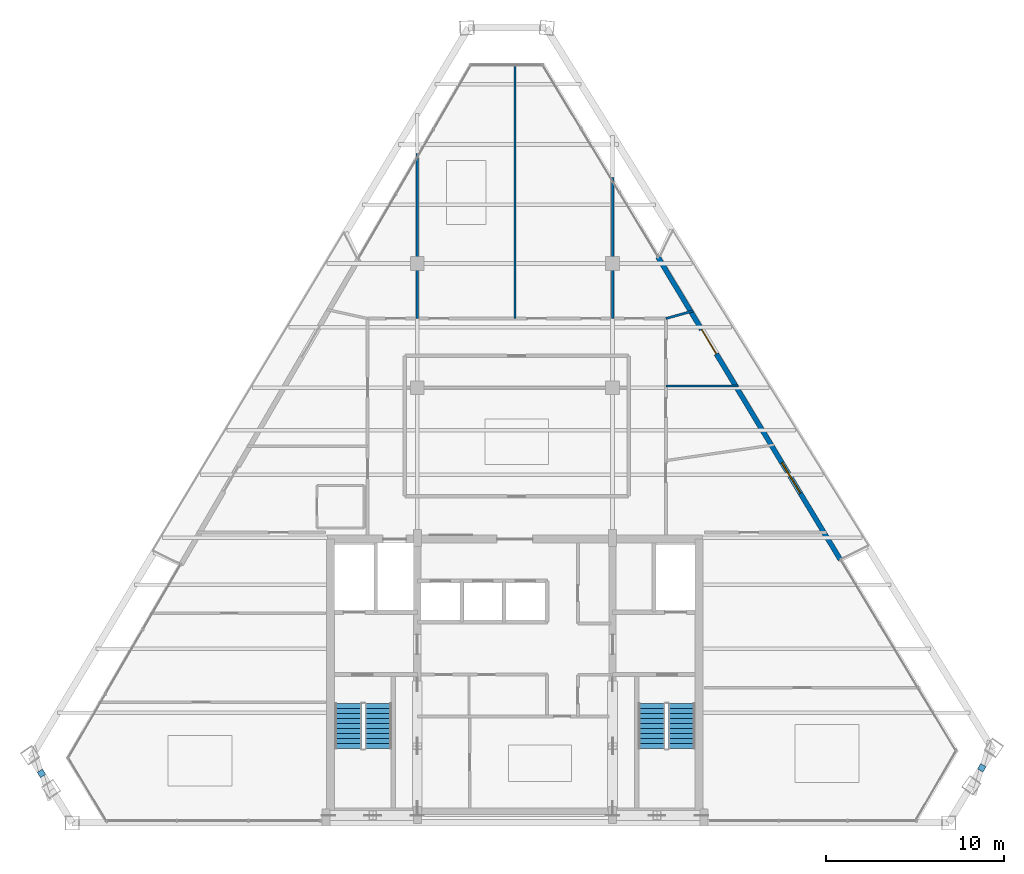
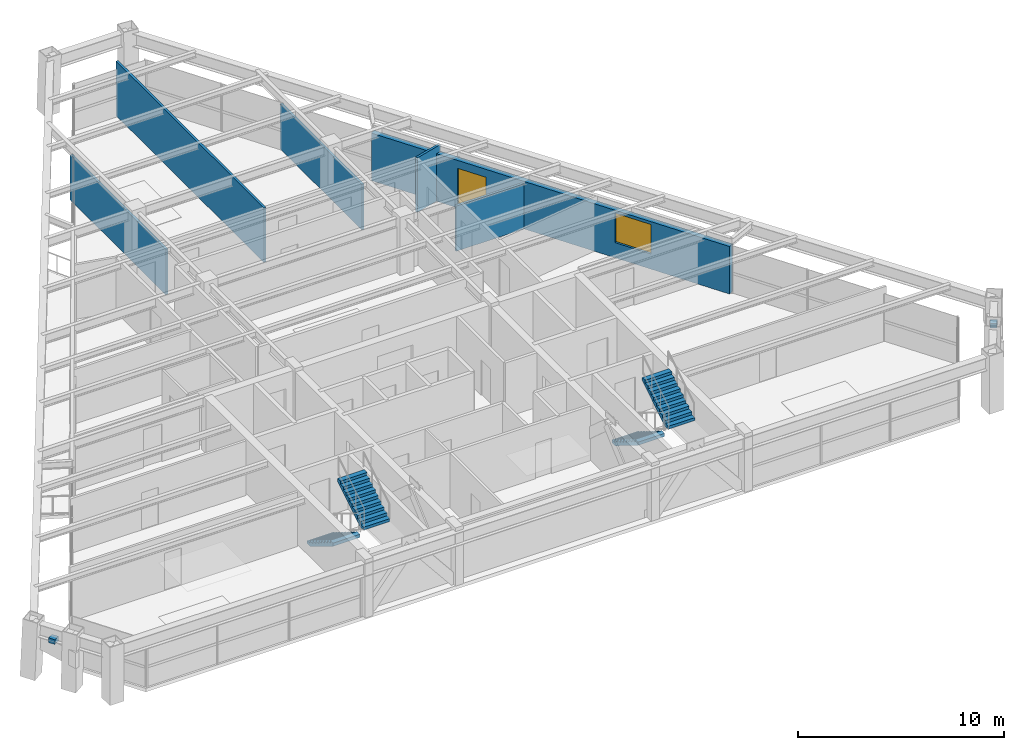
# One storey, part 11 of 13: 6 walls, 4 stair flights, 2 discrete accessories, 1 door, 1 window, 2 openings, 2 elements without a shape of their own.
"""IFC4 building model written with IfcOpenShell, lengths in metres."""

from ifc_helpers import new_model, si_unit, direction, frame, frame_2d, origin, origin_2d, place, context, subcontext, project, spatial, polyline, rectangle, outline, extrude, source, transform, mapped, material, layer, layer_set, type_object, type_shapes, element, fill, aggregate, save


model = new_model("IFC4")

# Units and contexts
model_context = context("Model", 3, precision=1e-05, world=origin(), true_north=direction((0.0, 1.0)))
body_context = subcontext(model_context, "Body", "Model", "MODEL_VIEW")
ifc_project = project(units=[si_unit("LENGTHUNIT", "METRE"), si_unit("AREAUNIT", "SQUARE_METRE"), si_unit("VOLUMEUNIT", "CUBIC_METRE"), si_unit("PLANEANGLEUNIT", "RADIAN"), si_unit("MASSUNIT", "GRAM", prefix="KILO")], contexts=[model_context])

# Site, building, storey
site_placement = place(None, origin())
site = spatial("IfcSite", under=ifc_project, at=site_placement, CompositionType="ELEMENT")
building_placement = place(site_placement, origin())
building = spatial("IfcBuilding", under=site, at=building_placement, Name="Varnakhor Terracotta Tower", CompositionType="ELEMENT")
storey_placement = place(building_placement, frame((0.0, 0.0, 262.64990234375)))
storey = spatial("IfcBuildingStorey", under=building, at=storey_placement, Name="L68", CompositionType="ELEMENT", Elevation=262.64990234375)

# Wall, openings, door, window
ifc_material_1 = material(Name="Extruded Architectural Terracotta Assembly", Category="masonry")
ifc_layer_1 = layer(ifc_material_1, 0.280029296875, Name="Extruded Architectural Terracotta Assembly")
ifc_layer_set_1 = layer_set([ifc_layer_1], Name="Extruded Architectural Terracotta Assembly")
wall_type_1 = type_object("IfcWallType", Name="WAL-EXT-TERRACOTTA-280", PredefinedType="SOLIDWALL", material=ifc_layer_set_1)
wall_1_placement = place(storey_placement, frame((8.050537109375, 31.865234375, 0.0), z_axis=(0.0, 0.0, 1.0), x_axis=(0.516203649231, -0.856465873529, 0.0)))
wall_1 = element("IfcWall", 1, at=wall_1_placement, inside=storey, type_object=wall_type_1, Name="L68 E Loggia Insulated Terracotta Wall", PredefinedType="SOLIDWALL", context=body_context, shape_type="SweptSolid", body=[
    extrude(rectangle(XDim=19.895751953125, YDim=0.280029296875, at=frame_2d((9.94775390625, 0.0))), origin(), (0.0, 0.0, 1.0), 2.820068359375),
])
opening_1_placement = place(wall_1_placement, frame((4.77490234375, 0.0, 0.0)))
opening_1 = element("IfcOpeningElement", 2, at=opening_1_placement, cuts=wall_1, Name="Opening DR-62", PredefinedType="OPENING", context=body_context, shape_type="SweptSolid", body=[
    extrude(rectangle(XDim=1.60009765625, YDim=2.35009765625, at=frame_2d((0.800048828125, 1.175048828125))), frame((0.0, 0.14990234375, 0.0), z_axis=(0.0, -1.0, 0.0), x_axis=(1.0, 0.0, 0.0)), (0.0, 0.0, 1.0), 0.300048828125),
])
opening_2_placement = place(wall_1_placement, frame((13.529052734375, 0.0, 0.89990234375)))
opening_2 = element("IfcOpeningElement", 3, at=opening_2_placement, cuts=wall_1, Name="Opening WN-63", PredefinedType="OPENING", context=body_context, shape_type="SweptSolid", body=[
    extrude(rectangle(XDim=2.0, YDim=1.75, at=frame_2d((1.0, 0.875))), frame((0.0, 0.14990234375, 0.0), z_axis=(0.0, -1.0, 0.0), x_axis=(1.0, 0.0, 0.0)), (0.0, 0.0, 1.0), 0.300048828125),
])
ifc_material_2 = material(Name="Thermally Broken Sliding Glass Loggia Door", Category="glass")
door_type = type_object("IfcDoorType", Name="DR-EXT-LOGGIA-1600X2350", OperationType="NOTDEFINED", PredefinedType="DOOR", material=ifc_material_2)
shared_shape_1 = source(origin(), body_context, "Body", "SweptSolid", [
    extrude(rectangle(XDim=1.60009765625, YDim=2.35009765625, at=frame_2d((0.800048828125, 1.175048828125))), frame((0.0, 0.02490234375, 0.0), z_axis=(0.0, -1.0, 0.0), x_axis=(1.0, 0.0, 0.0)), (0.0, 0.0, 1.0), 0.050048828125),
])
type_shapes(door_type, [shared_shape_1])
door_placement = place(opening_1_placement, origin())
door = element("IfcDoor", 4, at=door_placement, inside=storey, type_object=door_type, Name="L68 E Recessed Loggia Sliding Door", OperationType="SLIDING_TO_RIGHT", OverallHeight=2.35009765625, OverallWidth=1.60009765625, PredefinedType="DOOR", context=body_context, shape_type="MappedRepresentation", body=[
    mapped(shared_shape_1, transform((0.0, 0.0, 0.0), scale=1.0)),
])
fill(opening_1, door)
ifc_material_3 = material(Name="Solar-Control Low-E Insulated Glass Unit", Category="glass")
window_type = type_object("IfcWindowType", Name="WIN-HTL-2000X1950", PartitioningType="SINGLE_PANEL", PredefinedType="WINDOW", material=ifc_material_3)
shared_shape_2 = source(origin(), body_context, "Body", "SweptSolid", [
    extrude(rectangle(XDim=2.0, YDim=1.75, at=frame_2d((1.0, 0.875))), frame((0.0, 0.030029296875, 0.0), z_axis=(0.0, -1.0, 0.0), x_axis=(1.0, 0.0, 0.0)), (0.0, 0.0, 1.0), 0.06005859375),
])
type_shapes(window_type, [shared_shape_2])
window_placement = place(opening_2_placement, origin())
window = element("IfcWindow", 5, at=window_placement, inside=storey, type_object=window_type, Name="L68 E Facet Punched Window", OverallHeight=1.75, OverallWidth=2.0, PartitioningType="SINGLE_PANEL", PredefinedType="WINDOW", context=body_context, shape_type="MappedRepresentation", body=[
    mapped(shared_shape_2, transform((0.0, 0.0, 0.0), scale=1.0)),
])
fill(opening_2, window)

# Walls
ifc_material_4 = material(Name="Acoustic Hotel Room Partition", Category="gypsum")
ifc_layer_2 = layer(ifc_material_4, 0.1298828125, Name="Acoustic Hotel Room Partition")
ifc_layer_set_2 = layer_set([ifc_layer_2], Name="Acoustic Hotel Room Partition")
wall_type_2 = type_object("IfcWallType", Name="WAL-PART-130", PredefinedType="PARTITIONING", material=ifc_layer_set_2)
wall_2_placement = place(storey_placement, frame((8.5, 28.39990234375, 0.0), z_axis=(0.0, 0.0, 1.0), x_axis=(0.963218462171, 0.268719545497, 0.0)))
element("IfcWall", 6, at=wall_2_placement, inside=storey, type_object=wall_type_2, Name="L68 North East Suite South Wall", PredefinedType="PARTITIONING", context=body_context, shape_type="SweptSolid", body=[
    extrude(rectangle(XDim=1.591796875, YDim=0.1298828125, at=frame_2d((0.7958984375, 0.0))), origin(), (0.0, 0.0, 1.0), 3.232177734375),
])
wall_3_placement = place(storey_placement, frame((-5.5, 28.39990234375, 0.0), z_axis=(0.0, 0.0, 1.0), x_axis=(0.0, 1.0, 0.0)))
element("IfcWall", 7, at=wall_3_placement, inside=storey, type_object=wall_type_2, Name="L68 North West Column Wall", PredefinedType="PARTITIONING", context=body_context, shape_type="SweptSolid", body=[
    extrude(rectangle(XDim=9.294189453125, YDim=0.1298828125, at=frame_2d((4.64697265625, 0.0))), origin(), (0.0, 0.0, 1.0), 2.68310546875),
])
wall_4_placement = place(storey_placement, frame((5.5, 28.39990234375, 0.0), z_axis=(0.0, 0.0, 1.0), x_axis=(0.0, 1.0, 0.0)))
element("IfcWall", 8, at=wall_4_placement, inside=storey, type_object=wall_type_2, Name="L68 North East Column Wall", PredefinedType="PARTITIONING", context=body_context, shape_type="SweptSolid", body=[
    extrude(rectangle(XDim=7.94921875, YDim=0.1298828125, at=frame_2d((3.974609375, 0.0))), origin(), (0.0, 0.0, 1.0), 2.68310546875),
])
wall_5_placement = place(storey_placement, frame((0.0, 28.39990234375, 0.0), z_axis=(0.0, 0.0, 1.0), x_axis=(0.0, 1.0, 0.0)))
element("IfcWall", 9, at=wall_5_placement, inside=storey, type_object=wall_type_2, Name="L68 North Suite Split 2", PredefinedType="PARTITIONING", context=body_context, shape_type="SweptSolid", body=[
    extrude(rectangle(XDim=14.371337890625, YDim=0.1298828125, at=frame_2d((7.185546875, 0.0))), origin(), (0.0, 0.0, 1.0), 3.232177734375),
])
wall_6_placement = place(storey_placement, frame((8.5, 24.60009765625, 0.0), z_axis=(0.0, 0.0, 1.0), x_axis=(1.0, 0.0, 0.0)))
element("IfcWall", 10, at=wall_6_placement, inside=storey, type_object=wall_type_2, Name="L68 East Key Cut 2", PredefinedType="PARTITIONING", context=body_context, shape_type="SweptSolid", body=[
    extrude(rectangle(XDim=4.081298828125, YDim=0.1298828125, at=frame_2d((2.04052734375, 0.0))), origin(), (0.0, 0.0, 1.0), 2.68310546875),
])

# Stair, stair flights
ifc_material_5 = material(Name="Concrete C40/50", Category="concrete")
stair_type = type_object("IfcStairType", Name="STR-CORE-HOTEL-1500", PredefinedType="HALF_TURN_STAIR", material=ifc_material_5)
stair_1_placement = place(storey_placement, origin())
stair_1 = element("IfcStair", 11, at=stair_1_placement, inside=storey, type_object=stair_type, Name="L68 Core Exit Stair ST-1", PredefinedType="HALF_TURN_STAIR")
stair_flight_type = type_object("IfcStairFlightType", Name="FLT-HOTEL-1500", PredefinedType="STRAIGHT", material=ifc_material_5)
stair_flight_1_placement = place(storey_placement, frame((-9.39990234375, 6.7099609375, 0.0), z_axis=(0.0, 0.0, 1.0), x_axis=(0.0, -1.0, 0.0)))
stair_flight_1 = element("IfcStairFlight", 12, at=stair_flight_1_placement, type_object=stair_flight_type, Name="ST-1 flight 1", NumberOfRisers=10, NumberOfTreads=9, PredefinedType="STRAIGHT", RiserHeight=0.1725, TreadLength=0.28, context=body_context, shape_type="SweptSolid", body=[
    extrude(outline(polyline([(0.0, 0.0), (0.0, 0.172607421875), (0.280029296875, 0.172607421875), (0.280029296875, 0.344970703125), (0.56005859375, 0.344970703125), (0.56005859375, 0.517578125), (0.840087890625, 0.517578125), (0.840087890625, 0.68994140625), (1.1201171875, 0.68994140625), (1.1201171875, 0.862548828125), (1.39990234375, 0.862548828125), (1.39990234375, 1.034912109375), (1.679931640625, 1.034912109375), (1.679931640625, 1.20751953125), (1.9599609375, 1.20751953125), (1.9599609375, 1.3798828125), (2.239990234375, 1.3798828125), (2.239990234375, 1.552490234375), (2.52001953125, 1.552490234375), (2.52001953125, 1.72509765625), (2.52001953125, 1.36474609375), (0.304931640625, 0.0), (0.0, 0.0)])), frame((0.0, 0.75, 0.0), z_axis=(0.0, -1.0, 0.0), x_axis=(1.0, 0.0, 0.0)), (0.0, 0.0, 1.0), 1.5),
])
stair_flight_2_placement = place(storey_placement, frame((-7.699951171875, 4.18994140625, 1.72509765625), z_axis=(0.0, 0.0, 1.0), x_axis=(0.0, 1.0, 0.0)))
stair_flight_2 = element("IfcStairFlight", 13, at=stair_flight_2_placement, type_object=stair_flight_type, Name="ST-1 flight 2", NumberOfRisers=10, NumberOfTreads=9, PredefinedType="STRAIGHT", RiserHeight=0.1725, TreadLength=0.28, context=body_context, shape_type="SweptSolid", body=[
    extrude(outline(polyline([(0.0, 0.0), (0.0, 0.172607421875), (0.280029296875, 0.172607421875), (0.280029296875, 0.344970703125), (0.56005859375, 0.344970703125), (0.56005859375, 0.517578125), (0.840087890625, 0.517578125), (0.840087890625, 0.68994140625), (1.1201171875, 0.68994140625), (1.1201171875, 0.862548828125), (1.39990234375, 0.862548828125), (1.39990234375, 1.034912109375), (1.679931640625, 1.034912109375), (1.679931640625, 1.20751953125), (1.9599609375, 1.20751953125), (1.9599609375, 1.3798828125), (2.239990234375, 1.3798828125), (2.239990234375, 1.552490234375), (2.52001953125, 1.552490234375), (2.52001953125, 1.72509765625), (2.52001953125, 1.36474609375), (0.304931640625, 0.0), (0.0, 0.0)])), frame((0.0, 0.75, 0.0), z_axis=(0.0, -1.0, 0.0), x_axis=(1.0, 0.0, 0.0)), (0.0, 0.0, 1.0), 1.5),
])
aggregate(stair_1, [stair_flight_1, stair_flight_2])

stair_2_placement = place(storey_placement, origin())
stair_2 = element("IfcStair", 14, at=stair_2_placement, inside=storey, type_object=stair_type, Name="L68 Core Exit Stair ST-2", PredefinedType="HALF_TURN_STAIR")
stair_flight_3_placement = place(storey_placement, frame((7.699951171875, 6.7099609375, 0.0), z_axis=(0.0, 0.0, 1.0), x_axis=(0.0, -1.0, 0.0)))
stair_flight_3 = element("IfcStairFlight", 15, at=stair_flight_3_placement, type_object=stair_flight_type, Name="ST-2 flight 1", NumberOfRisers=10, NumberOfTreads=9, PredefinedType="STRAIGHT", RiserHeight=0.1725, TreadLength=0.28, context=body_context, shape_type="SweptSolid", body=[
    extrude(outline(polyline([(0.0, 0.0), (0.0, 0.172607421875), (0.280029296875, 0.172607421875), (0.280029296875, 0.344970703125), (0.56005859375, 0.344970703125), (0.56005859375, 0.517578125), (0.840087890625, 0.517578125), (0.840087890625, 0.68994140625), (1.1201171875, 0.68994140625), (1.1201171875, 0.862548828125), (1.39990234375, 0.862548828125), (1.39990234375, 1.034912109375), (1.679931640625, 1.034912109375), (1.679931640625, 1.20751953125), (1.9599609375, 1.20751953125), (1.9599609375, 1.3798828125), (2.239990234375, 1.3798828125), (2.239990234375, 1.552490234375), (2.52001953125, 1.552490234375), (2.52001953125, 1.72509765625), (2.52001953125, 1.36474609375), (0.304931640625, 0.0), (0.0, 0.0)])), frame((0.0, 0.75, 0.0), z_axis=(0.0, -1.0, 0.0), x_axis=(1.0, 0.0, 0.0)), (0.0, 0.0, 1.0), 1.5),
])
stair_flight_4_placement = place(storey_placement, frame((9.39990234375, 4.18994140625, 1.72509765625), z_axis=(0.0, 0.0, 1.0), x_axis=(0.0, 1.0, 0.0)))
stair_flight_4 = element("IfcStairFlight", 16, at=stair_flight_4_placement, type_object=stair_flight_type, Name="ST-2 flight 2", NumberOfRisers=10, NumberOfTreads=9, PredefinedType="STRAIGHT", RiserHeight=0.1725, TreadLength=0.28, context=body_context, shape_type="SweptSolid", body=[
    extrude(outline(polyline([(0.0, 0.0), (0.0, 0.172607421875), (0.280029296875, 0.172607421875), (0.280029296875, 0.344970703125), (0.56005859375, 0.344970703125), (0.56005859375, 0.517578125), (0.840087890625, 0.517578125), (0.840087890625, 0.68994140625), (1.1201171875, 0.68994140625), (1.1201171875, 0.862548828125), (1.39990234375, 0.862548828125), (1.39990234375, 1.034912109375), (1.679931640625, 1.034912109375), (1.679931640625, 1.20751953125), (1.9599609375, 1.20751953125), (1.9599609375, 1.3798828125), (2.239990234375, 1.3798828125), (2.239990234375, 1.552490234375), (2.52001953125, 1.552490234375), (2.52001953125, 1.72509765625), (2.52001953125, 1.36474609375), (0.304931640625, 0.0), (0.0, 0.0)])), frame((0.0, 0.75, 0.0), z_axis=(0.0, -1.0, 0.0), x_axis=(1.0, 0.0, 0.0)), (0.0, 0.0, 1.0), 1.5),
])
aggregate(stair_2, [stair_flight_3, stair_flight_4])

# Discrete accessories
ifc_material_6 = material(Name="Stainless Steel Fixing Bracket", Category="steel")
discrete_accessory_type = type_object("IfcDiscreteAccessoryType", Name="BRACKET-TERRACOTTA-SCREEN", PredefinedType="BRACKET", material=ifc_material_6)
shared_shape_3 = source(origin(), body_context, "Body", "SweptSolid", [
    extrude(rectangle(XDim=0.35009765625, YDim=0.35009765625, at=origin_2d()), origin(), (0.0, 0.0, 1.0), 0.280029296875),
])
type_shapes(discrete_accessory_type, [shared_shape_3])
for number, where, z_axis, x_axis, name in (
    (17, (26.289794921875, 3.099609375, 2.3369140625), (0.0, 0.0, 1.0), (0.514409600141, 0.857544612999, 0.0), "L68 E Screen Fixing Bracket"),
    (18, (-26.66259765625, 2.7880859375, 2.3369140625), (0.0, 0.0, 1.0), (0.526347490175, -0.850269557015, 0.0), "L68 W Screen Fixing Bracket"),
):
    element("IfcDiscreteAccessory", number, at=place(storey_placement, frame(where, z_axis=z_axis, x_axis=x_axis)), inside=storey, type_object=discrete_accessory_type, Name=name, PredefinedType="BRACKET", context=body_context, shape_type="MappedRepresentation", body=[
        mapped(shared_shape_3, transform((0.0, 0.0, 0.0), scale=1.0)),
    ])

save(model, "model.ifc")
